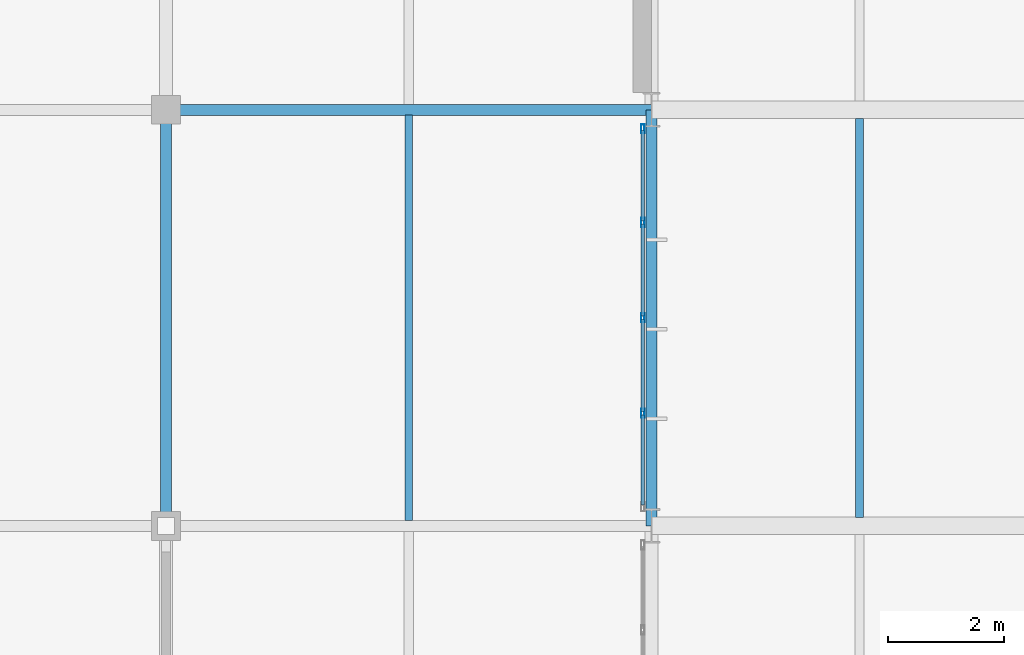
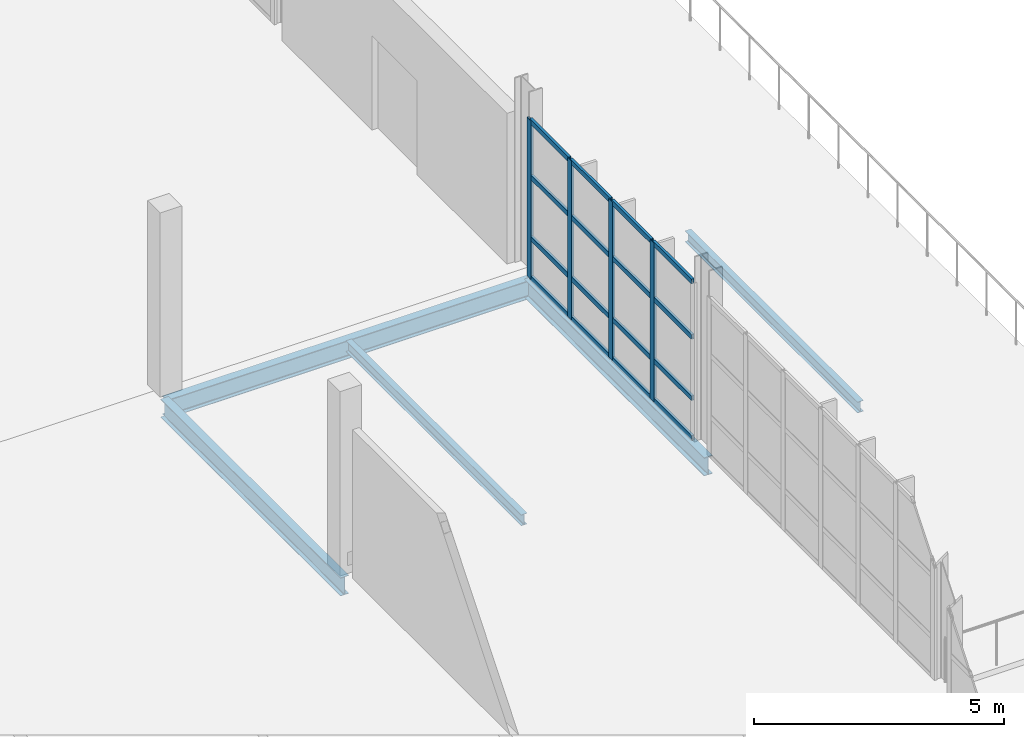
# One storey, part 72 of 109: 20 members, 5 beams, 1 element without a shape of its own.
"""IFC4 building model written with IfcOpenShell, lengths in metres."""

from ifc_helpers import new_model, si_unit, direction, frame, origin, origin_2d, place, context, subcontext, project, spatial, hollow_rectangle, i_section, extrude, material, material_profile, profile_set, type_object, element, aggregate, save


model = new_model("IFC4")

# Units and contexts
model_context = context("Model", 3, precision=1e-05, world=origin(), true_north=direction((0.0, 1.0)))
body_context = subcontext(model_context, "Body", "Model", "MODEL_VIEW")
ifc_project = project(units=[si_unit("LENGTHUNIT", "METRE"), si_unit("AREAUNIT", "SQUARE_METRE"), si_unit("VOLUMEUNIT", "CUBIC_METRE"), si_unit("PLANEANGLEUNIT", "RADIAN"), si_unit("MASSUNIT", "GRAM", prefix="KILO")], contexts=[model_context])

# Site, building, storey
site_placement = place(None, origin())
site = spatial("IfcSite", under=ifc_project, at=site_placement, CompositionType="ELEMENT")
building_placement = place(site_placement, origin())
building = spatial("IfcBuilding", under=site, at=building_placement, Name="Veltarok Museum of Natural Sciences", CompositionType="ELEMENT")
storey_placement = place(building_placement, frame((0.0, 0.0, 17.39990234375)))
storey = spatial("IfcBuildingStorey", under=building, at=storey_placement, Name="L03", CompositionType="ELEMENT", Elevation=17.39990234375)

# Curtain wall, members
ifc_material_1 = material(Name="Low-iron triple insulated glass", Category="glass")
curtain_wall_type = type_object("IfcCurtainWallType", Name="Curtain Wall System CW-V5E-L03-C-660x388 (V5 East Lab L03 C-D 660x388cm)", PredefinedType="NOTDEFINED", material=ifc_material_1)
curtain_wall_placement = place(storey_placement, origin())
curtain_wall = element("IfcCurtainWall", 1, at=curtain_wall_placement, inside=storey, type_object=curtain_wall_type, Name="Curtain Wall CW-V5E-L03-C-660x388 CW-0117", PredefinedType="NOTDEFINED")
ifc_material_2 = material(Name="Thermally broken anodised aluminium", Category="aluminium")
ifc_material_profile_1 = material_profile(ifc_material_2, hollow_rectangle(XDim=0.06005859375, YDim=0.1201171875, WallThickness=0.0048828125, at=origin_2d()), Name="CW TRANSOM 60x120x5")
ifc_profile_set_1 = profile_set([ifc_material_profile_1], Name="Thermally broken anodised aluminium")
member_type_1 = type_object("IfcMemberType", Name="Curtain Wall Horizontal Transom 60x120x5", PredefinedType="USERDEFINED", material=ifc_profile_set_1)
member_1_placement = place(storey_placement, frame((157.449951171875, 19.56005859375, 0.030029296875), z_axis=(0.0, 1.0, 0.0), x_axis=(-1.0, 0.0, 0.0)))
member_1 = element("IfcMember", 2, at=member_1_placement, type_object=member_type_1, Name="CW-V5E-L03-C-660x388 transom 1.1", ObjectType="TRANSOM", PredefinedType="USERDEFINED", context=body_context, shape_type="SweptSolid", body=[
    extrude(hollow_rectangle(XDim=0.06005859375, YDim=0.1201171875, WallThickness=0.0048828125, at=origin_2d()), origin(), (0.0, 0.0, 1.0), 1.56005859375),
])
member_2_placement = place(storey_placement, frame((157.449951171875, 19.56005859375, 1.0), z_axis=(0.0, 1.0, 0.0), x_axis=(-1.0, 0.0, 0.0)))
member_2 = element("IfcMember", 3, at=member_2_placement, type_object=member_type_1, Name="CW-V5E-L03-C-660x388 transom 1.2", ObjectType="TRANSOM", PredefinedType="USERDEFINED", context=body_context, shape_type="SweptSolid", body=[
    extrude(hollow_rectangle(XDim=0.06005859375, YDim=0.1201171875, WallThickness=0.0048828125, at=origin_2d()), origin(), (0.0, 0.0, 1.0), 1.56005859375),
])
member_3_placement = place(storey_placement, frame((157.449951171875, 19.56005859375, 2.5), z_axis=(0.0, 1.0, 0.0), x_axis=(-1.0, 0.0, 0.0)))
member_3 = element("IfcMember", 4, at=member_3_placement, type_object=member_type_1, Name="CW-V5E-L03-C-660x388 transom 1.3", ObjectType="TRANSOM", PredefinedType="USERDEFINED", context=body_context, shape_type="SweptSolid", body=[
    extrude(hollow_rectangle(XDim=0.06005859375, YDim=0.1201171875, WallThickness=0.0048828125, at=origin_2d()), origin(), (0.0, 0.0, 1.0), 1.56005859375),
])
member_4_placement = place(storey_placement, frame((157.449951171875, 19.56005859375, 3.85009765625), z_axis=(0.0, 1.0, 0.0), x_axis=(-1.0, 0.0, 0.0)))
member_4 = element("IfcMember", 5, at=member_4_placement, type_object=member_type_1, Name="CW-V5E-L03-C-660x388 transom 1.4", ObjectType="TRANSOM", PredefinedType="USERDEFINED", context=body_context, shape_type="SweptSolid", body=[
    extrude(hollow_rectangle(XDim=0.06005859375, YDim=0.1201171875, WallThickness=0.0048828125, at=origin_2d()), origin(), (0.0, 0.0, 1.0), 1.56005859375),
])
member_5_placement = place(storey_placement, frame((157.449951171875, 21.179931640625, 0.030029296875), z_axis=(0.0, 1.0, 0.0), x_axis=(-1.0, 0.0, 0.0)))
member_5 = element("IfcMember", 6, at=member_5_placement, type_object=member_type_1, Name="CW-V5E-L03-C-660x388 transom 2.1", ObjectType="TRANSOM", PredefinedType="USERDEFINED", context=body_context, shape_type="SweptSolid", body=[
    extrude(hollow_rectangle(XDim=0.06005859375, YDim=0.1201171875, WallThickness=0.0048828125, at=origin_2d()), origin(), (0.0, 0.0, 1.0), 1.590087890625),
])
member_6_placement = place(storey_placement, frame((157.449951171875, 21.179931640625, 1.0), z_axis=(0.0, 1.0, 0.0), x_axis=(-1.0, 0.0, 0.0)))
member_6 = element("IfcMember", 7, at=member_6_placement, type_object=member_type_1, Name="CW-V5E-L03-C-660x388 transom 2.2", ObjectType="TRANSOM", PredefinedType="USERDEFINED", context=body_context, shape_type="SweptSolid", body=[
    extrude(hollow_rectangle(XDim=0.06005859375, YDim=0.1201171875, WallThickness=0.0048828125, at=origin_2d()), origin(), (0.0, 0.0, 1.0), 1.590087890625),
])
member_7_placement = place(storey_placement, frame((157.449951171875, 21.179931640625, 2.5), z_axis=(0.0, 1.0, 0.0), x_axis=(-1.0, 0.0, 0.0)))
member_7 = element("IfcMember", 8, at=member_7_placement, type_object=member_type_1, Name="CW-V5E-L03-C-660x388 transom 2.3", ObjectType="TRANSOM", PredefinedType="USERDEFINED", context=body_context, shape_type="SweptSolid", body=[
    extrude(hollow_rectangle(XDim=0.06005859375, YDim=0.1201171875, WallThickness=0.0048828125, at=origin_2d()), origin(), (0.0, 0.0, 1.0), 1.590087890625),
])
member_8_placement = place(storey_placement, frame((157.449951171875, 21.179931640625, 3.85009765625), z_axis=(0.0, 1.0, 0.0), x_axis=(-1.0, 0.0, 0.0)))
member_8 = element("IfcMember", 9, at=member_8_placement, type_object=member_type_1, Name="CW-V5E-L03-C-660x388 transom 2.4", ObjectType="TRANSOM", PredefinedType="USERDEFINED", context=body_context, shape_type="SweptSolid", body=[
    extrude(hollow_rectangle(XDim=0.06005859375, YDim=0.1201171875, WallThickness=0.0048828125, at=origin_2d()), origin(), (0.0, 0.0, 1.0), 1.590087890625),
])
member_9_placement = place(storey_placement, frame((157.449951171875, 22.830078125, 0.030029296875), z_axis=(0.0, 1.0, 0.0), x_axis=(-1.0, 0.0, 0.0)))
member_9 = element("IfcMember", 10, at=member_9_placement, type_object=member_type_1, Name="CW-V5E-L03-C-660x388 transom 3.1", ObjectType="TRANSOM", PredefinedType="USERDEFINED", context=body_context, shape_type="SweptSolid", body=[
    extrude(hollow_rectangle(XDim=0.06005859375, YDim=0.1201171875, WallThickness=0.0048828125, at=origin_2d()), origin(), (0.0, 0.0, 1.0), 1.58984375),
])
member_10_placement = place(storey_placement, frame((157.449951171875, 22.830078125, 1.0), z_axis=(0.0, 1.0, 0.0), x_axis=(-1.0, 0.0, 0.0)))
member_10 = element("IfcMember", 11, at=member_10_placement, type_object=member_type_1, Name="CW-V5E-L03-C-660x388 transom 3.2", ObjectType="TRANSOM", PredefinedType="USERDEFINED", context=body_context, shape_type="SweptSolid", body=[
    extrude(hollow_rectangle(XDim=0.06005859375, YDim=0.1201171875, WallThickness=0.0048828125, at=origin_2d()), origin(), (0.0, 0.0, 1.0), 1.58984375),
])
member_11_placement = place(storey_placement, frame((157.449951171875, 22.830078125, 2.5), z_axis=(0.0, 1.0, 0.0), x_axis=(-1.0, 0.0, 0.0)))
member_11 = element("IfcMember", 12, at=member_11_placement, type_object=member_type_1, Name="CW-V5E-L03-C-660x388 transom 3.3", ObjectType="TRANSOM", PredefinedType="USERDEFINED", context=body_context, shape_type="SweptSolid", body=[
    extrude(hollow_rectangle(XDim=0.06005859375, YDim=0.1201171875, WallThickness=0.0048828125, at=origin_2d()), origin(), (0.0, 0.0, 1.0), 1.58984375),
])
member_12_placement = place(storey_placement, frame((157.449951171875, 22.830078125, 3.85009765625), z_axis=(0.0, 1.0, 0.0), x_axis=(-1.0, 0.0, 0.0)))
member_12 = element("IfcMember", 13, at=member_12_placement, type_object=member_type_1, Name="CW-V5E-L03-C-660x388 transom 3.4", ObjectType="TRANSOM", PredefinedType="USERDEFINED", context=body_context, shape_type="SweptSolid", body=[
    extrude(hollow_rectangle(XDim=0.06005859375, YDim=0.1201171875, WallThickness=0.0048828125, at=origin_2d()), origin(), (0.0, 0.0, 1.0), 1.58984375),
])
member_13_placement = place(storey_placement, frame((157.449951171875, 24.47998046875, 0.030029296875), z_axis=(0.0, 1.0, 0.0), x_axis=(-1.0, 0.0, 0.0)))
member_13 = element("IfcMember", 14, at=member_13_placement, type_object=member_type_1, Name="CW-V5E-L03-C-660x388 transom 4.1", ObjectType="TRANSOM", PredefinedType="USERDEFINED", context=body_context, shape_type="SweptSolid", body=[
    extrude(hollow_rectangle(XDim=0.06005859375, YDim=0.1201171875, WallThickness=0.0048828125, at=origin_2d()), origin(), (0.0, 0.0, 1.0), 1.56005859375),
])
member_14_placement = place(storey_placement, frame((157.449951171875, 24.47998046875, 1.0), z_axis=(0.0, 1.0, 0.0), x_axis=(-1.0, 0.0, 0.0)))
member_14 = element("IfcMember", 15, at=member_14_placement, type_object=member_type_1, Name="CW-V5E-L03-C-660x388 transom 4.2", ObjectType="TRANSOM", PredefinedType="USERDEFINED", context=body_context, shape_type="SweptSolid", body=[
    extrude(hollow_rectangle(XDim=0.06005859375, YDim=0.1201171875, WallThickness=0.0048828125, at=origin_2d()), origin(), (0.0, 0.0, 1.0), 1.56005859375),
])
member_15_placement = place(storey_placement, frame((157.449951171875, 24.47998046875, 2.5), z_axis=(0.0, 1.0, 0.0), x_axis=(-1.0, 0.0, 0.0)))
member_15 = element("IfcMember", 16, at=member_15_placement, type_object=member_type_1, Name="CW-V5E-L03-C-660x388 transom 4.3", ObjectType="TRANSOM", PredefinedType="USERDEFINED", context=body_context, shape_type="SweptSolid", body=[
    extrude(hollow_rectangle(XDim=0.06005859375, YDim=0.1201171875, WallThickness=0.0048828125, at=origin_2d()), origin(), (0.0, 0.0, 1.0), 1.56005859375),
])
member_16_placement = place(storey_placement, frame((157.449951171875, 24.47998046875, 3.85009765625), z_axis=(0.0, 1.0, 0.0), x_axis=(-1.0, 0.0, 0.0)))
member_16 = element("IfcMember", 17, at=member_16_placement, type_object=member_type_1, Name="CW-V5E-L03-C-660x388 transom 4.4", ObjectType="TRANSOM", PredefinedType="USERDEFINED", context=body_context, shape_type="SweptSolid", body=[
    extrude(hollow_rectangle(XDim=0.06005859375, YDim=0.1201171875, WallThickness=0.0048828125, at=origin_2d()), origin(), (0.0, 0.0, 1.0), 1.56005859375),
])
ifc_material_profile_2 = material_profile(ifc_material_2, hollow_rectangle(XDim=0.06005859375, YDim=0.159912109375, WallThickness=0.0048828125, at=origin_2d()), Name="CW MULLION 60x160x5")
ifc_profile_set_2 = profile_set([ifc_material_profile_2], Name="Thermally broken anodised aluminium")
member_type_2 = type_object("IfcMemberType", Name="Curtain Wall Vertical Mullion 60x160x5", PredefinedType="MULLION", material=ifc_profile_set_2)
member_17_placement = place(storey_placement, frame((157.449951171875, 21.14990234375, 0.0), z_axis=(0.0, 0.0, 1.0), x_axis=(-1.0, 0.0, 0.0)))
member_17 = element("IfcMember", 18, at=member_17_placement, type_object=member_type_2, Name="CW-V5E-L03-C-660x388 mullion 2", PredefinedType="MULLION", context=body_context, shape_type="SweptSolid", body=[
    extrude(hollow_rectangle(XDim=0.06005859375, YDim=0.159912109375, WallThickness=0.0048828125, at=origin_2d()), origin(), (0.0, 0.0, 1.0), 3.880126953125),
])
member_18_placement = place(storey_placement, frame((157.449951171875, 22.800048828125, 0.0), z_axis=(0.0, 0.0, 1.0), x_axis=(-1.0, 0.0, 0.0)))
member_18 = element("IfcMember", 19, at=member_18_placement, type_object=member_type_2, Name="CW-V5E-L03-C-660x388 mullion 3", PredefinedType="MULLION", context=body_context, shape_type="SweptSolid", body=[
    extrude(hollow_rectangle(XDim=0.06005859375, YDim=0.159912109375, WallThickness=0.0048828125, at=origin_2d()), origin(), (0.0, 0.0, 1.0), 3.880126953125),
])
member_19_placement = place(storey_placement, frame((157.449951171875, 24.449951171875, 0.0), z_axis=(0.0, 0.0, 1.0), x_axis=(-1.0, 0.0, 0.0)))
member_19 = element("IfcMember", 20, at=member_19_placement, type_object=member_type_2, Name="CW-V5E-L03-C-660x388 mullion 4", PredefinedType="MULLION", context=body_context, shape_type="SweptSolid", body=[
    extrude(hollow_rectangle(XDim=0.06005859375, YDim=0.159912109375, WallThickness=0.0048828125, at=origin_2d()), origin(), (0.0, 0.0, 1.0), 3.880126953125),
])
member_20_placement = place(storey_placement, frame((157.449951171875, 26.070068359375, 0.0), z_axis=(0.0, 0.0, 1.0), x_axis=(-1.0, 0.0, 0.0)))
member_20 = element("IfcMember", 21, at=member_20_placement, type_object=member_type_2, Name="CW-V5E-L03-C-660x388 mullion 5", PredefinedType="MULLION", context=body_context, shape_type="SweptSolid", body=[
    extrude(hollow_rectangle(XDim=0.06005859375, YDim=0.159912109375, WallThickness=0.0048828125, at=origin_2d()), origin(), (0.0, 0.0, 1.0), 3.880126953125),
])
aggregate(curtain_wall, [member_17, member_18, member_19, member_20, member_1, member_2, member_3, member_4, member_5, member_6, member_7, member_8, member_9, member_10, member_11, member_12, member_13, member_14, member_15, member_16])

# Beams
ifc_material_3 = material(Name="Steel S355J2", Category="steel")
ifc_material_profile_3 = material_profile(ifc_material_3, i_section(OverallWidth=0.18994140625, OverallDepth=0.449951171875, WebThickness=0.009521484375, FlangeThickness=0.0146484375, FilletRadius=0.02099609375, at=origin_2d()), Name="IPE 450")
ifc_profile_set_3 = profile_set([ifc_material_profile_3], Name="Steel S355J2")
beam_type_1 = type_object("IfcBeamType", Name="Laboratory Floor Girder IPE 450", PredefinedType="BEAM", material=ifc_profile_set_3)
beam_1_placement = place(storey_placement, frame((149.199951171875, 26.39990234375, -0.48486328125), z_axis=(1.0, 0.0, 0.0), x_axis=(0.0, 1.0, 0.0)))
element("IfcBeam", 22, at=beam_1_placement, inside=storey, type_object=beam_type_1, Name="Beam BM-G05 L03 18-19/D", PredefinedType="BEAM", context=body_context, shape_type="SweptSolid", body=[
    extrude(i_section(OverallWidth=0.18994140625, OverallDepth=0.449951171875, WebThickness=0.009521484375, FlangeThickness=0.0146484375, FilletRadius=0.02099609375, at=origin_2d()), origin(), (0.0, 0.0, 1.0), 8.400146484375),
])
for number, where, z_axis, x_axis, name in (
    (23, (149.199951171875, 19.199951171875, -0.474853515625), (0.0, 1.0, 0.0), (-1.0, 0.0, 0.0), "Beam BM-G05 L03 18/C-D"),
    (24, (157.60009765625, 19.199951171875, -0.48486328125), (0.0, 1.0, 0.0), (-1.0, 0.0, 0.0), "Beam BM-G05 L03 19/C-D"),
):
    element("IfcBeam", number, at=place(storey_placement, frame(where, z_axis=z_axis, x_axis=x_axis)), inside=storey, type_object=beam_type_1, Name=name, PredefinedType="BEAM", context=body_context, shape_type="SweptSolid", body=[
        extrude(i_section(OverallWidth=0.18994140625, OverallDepth=0.449951171875, WebThickness=0.009521484375, FlangeThickness=0.0146484375, FilletRadius=0.02099609375, at=origin_2d()), origin(), (0.0, 0.0, 1.0), 7.199951171875),
    ])
ifc_material_profile_4 = material_profile(ifc_material_3, i_section(OverallWidth=0.135009765625, OverallDepth=0.27001953125, WebThickness=0.006591796875, FlangeThickness=0.01025390625, FilletRadius=0.014892578125, at=origin_2d()), Name="IPE 270")
ifc_profile_set_4 = profile_set([ifc_material_profile_4], Name="Steel S355J2")
beam_type_2 = type_object("IfcBeamType", Name="Short-Bay Composite Joist IPE 270", PredefinedType="JOIST", material=ifc_profile_set_4)
beam_2_placement = place(storey_placement, frame((153.39990234375, 19.29296875, -0.385009765625), z_axis=(0.0, 1.0, 0.0), x_axis=(-1.0, 0.0, 0.0)))
element("IfcBeam", 25, at=beam_2_placement, inside=storey, type_object=beam_type_2, Name="Secondary Joist BM-J04 L03 18-19/C-D.1", PredefinedType="JOIST", context=body_context, shape_type="SweptSolid", body=[
    extrude(i_section(OverallWidth=0.135009765625, OverallDepth=0.27001953125, WebThickness=0.006591796875, FlangeThickness=0.01025390625, FilletRadius=0.014892578125, at=origin_2d()), origin(), (0.0, 0.0, 1.0), 7.013916015625),
])
beam_3_placement = place(storey_placement, frame((161.199951171875, 19.347900390625, -0.39501953125), z_axis=(0.0, 1.0, 0.0), x_axis=(-1.0, 0.0, 0.0)))
element("IfcBeam", 26, at=beam_3_placement, inside=storey, type_object=beam_type_2, Name="Secondary Joist BM-J04 L03 19-20/C-D.1", PredefinedType="JOIST", context=body_context, shape_type="SweptSolid", body=[
    extrude(i_section(OverallWidth=0.135009765625, OverallDepth=0.27001953125, WebThickness=0.006591796875, FlangeThickness=0.01025390625, FilletRadius=0.014892578125, at=origin_2d()), origin(), (0.0, 0.0, 1.0), 6.904052734375),
])

save(model, "model.ifc")
